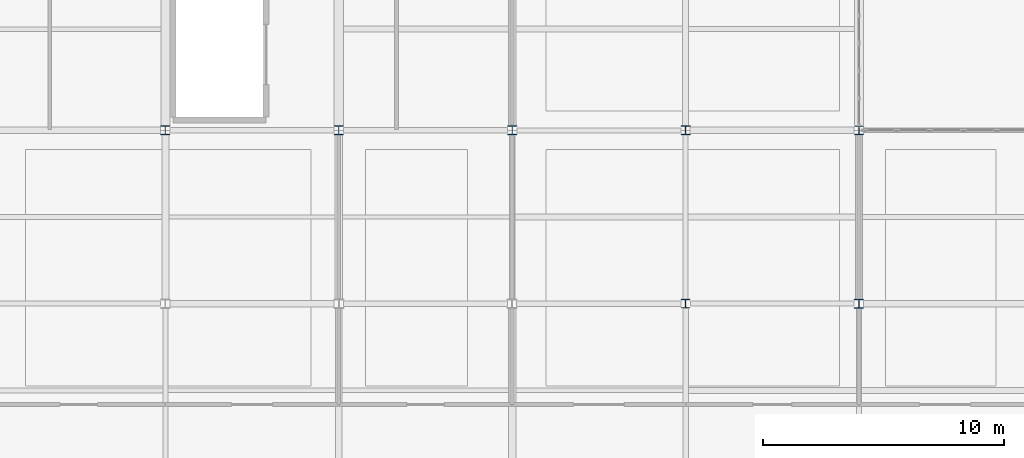
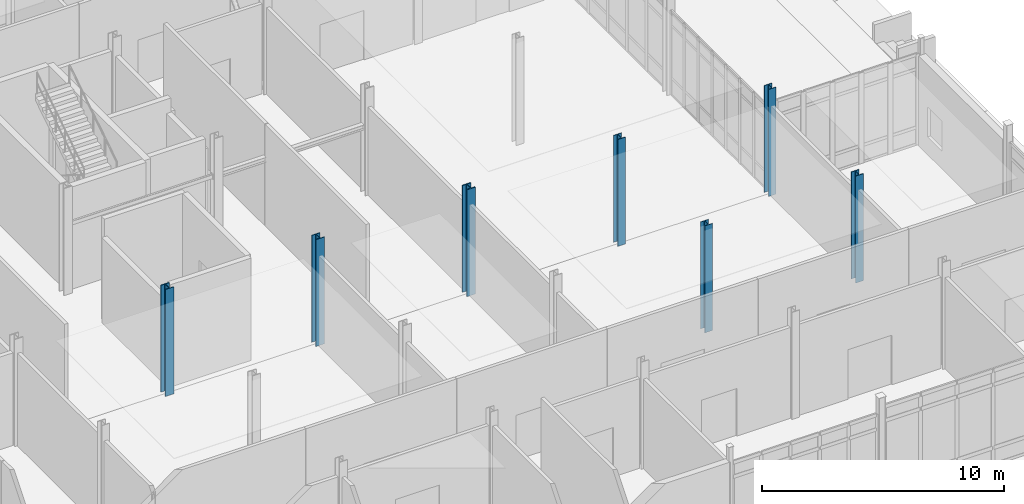
# One storey, part 19 of 229: 7 columns.
"""IFC4 building model written with IfcOpenShell, lengths in metres."""

from ifc_helpers import new_model, si_unit, direction, frame, origin, origin_2d, place, context, subcontext, project, spatial, i_section, extrude, material, material_profile, profile_set, type_object, element, save


model = new_model("IFC4")

# Units and contexts
model_context = context("Model", 3, precision=1e-05, world=origin(), true_north=direction((0.0, 1.0)))
body_context = subcontext(model_context, "Body", "Model", "MODEL_VIEW")
ifc_project = project(units=[si_unit("LENGTHUNIT", "METRE"), si_unit("AREAUNIT", "SQUARE_METRE"), si_unit("VOLUMEUNIT", "CUBIC_METRE"), si_unit("PLANEANGLEUNIT", "RADIAN"), si_unit("MASSUNIT", "GRAM", prefix="KILO")], contexts=[model_context])

# Site, building, storey
site_placement = place(None, origin())
site = spatial("IfcSite", under=ifc_project, at=site_placement, CompositionType="ELEMENT")
building_placement = place(site_placement, origin())
building = spatial("IfcBuilding", under=site, at=building_placement, Name="Calvrana Isthmian Art Gallery", CompositionType="ELEMENT")
storey_placement = place(building_placement, origin())
storey = spatial("IfcBuildingStorey", under=building, at=storey_placement, Name="L00", CompositionType="ELEMENT", Elevation=0.0)

# Columns
ifc_material = material(Name="Steel ASTM A992 Gr 50", Category="steel")
ifc_material_profile_1 = material_profile(ifc_material, i_section(OverallWidth=0.37109375, OverallDepth=0.363037109375, WebThickness=0.01318359375, FlangeThickness=0.021728515625, FilletRadius=0.02490234375, at=origin_2d()), Name="W14X109")
ifc_profile_set_1 = profile_set([ifc_material_profile_1], Name="Steel ASTM A992 Gr 50")
column_type_1 = type_object("IfcColumnType", Name="COL-STL-W14X109", PredefinedType="COLUMN", material=ifc_profile_set_1)
column_1_placement = place(storey_placement, frame((148.800048828125, 21.60009765625, 0.0), z_axis=(0.0, 0.0, 1.0), x_axis=(1.0, 0.0, 0.0)))
element("IfcColumn", 1, at=column_1_placement, inside=storey, type_object=column_type_1, Name="Column 20/D L00", PredefinedType="COLUMN", context=body_context, shape_type="SweptSolid", body=[
    extrude(i_section(OverallWidth=0.37109375, OverallDepth=0.363037109375, WebThickness=0.01318359375, FlangeThickness=0.021728515625, FilletRadius=0.02490234375, at=origin_2d()), origin(), (0.0, 0.0, 1.0), 5.39990234375),
])
ifc_material_profile_2 = material_profile(ifc_material, i_section(OverallWidth=0.373046875, OverallDepth=0.373046875, WebThickness=0.016357421875, FlangeThickness=0.026123046875, FilletRadius=0.02490234375, at=origin_2d()), Name="W14X132")
ifc_profile_set_2 = profile_set([ifc_material_profile_2], Name="Steel ASTM A992 Gr 50")
column_type_2 = type_object("IfcColumnType", Name="COL-STL-W14X132", PredefinedType="COLUMN", material=ifc_profile_set_2)
column_2_placement = place(storey_placement, frame((156.0, 14.39990234375, 0.0), z_axis=(0.0, 0.0, 1.0), x_axis=(1.0, 0.0, 0.0)))
element("IfcColumn", 2, at=column_2_placement, inside=storey, type_object=column_type_2, Name="Column 21/C L00", PredefinedType="COLUMN", context=body_context, shape_type="SweptSolid", body=[
    extrude(i_section(OverallWidth=0.373046875, OverallDepth=0.373046875, WebThickness=0.016357421875, FlangeThickness=0.026123046875, FilletRadius=0.02490234375, at=origin_2d()), origin(), (0.0, 0.0, 1.0), 5.39990234375),
])
ifc_material_profile_3 = material_profile(ifc_material, i_section(OverallWidth=0.39892578125, OverallDepth=0.385986328125, WebThickness=0.02099609375, FlangeThickness=0.033203125, FilletRadius=0.02490234375, at=origin_2d()), Name="W14X176")
ifc_profile_set_3 = profile_set([ifc_material_profile_3], Name="Steel ASTM A992 Gr 50")
column_type_3 = type_object("IfcColumnType", Name="COL-STL-W14X176", PredefinedType="COLUMN", material=ifc_profile_set_3)
column_3_placement = place(storey_placement, frame((134.39990234375, 21.60009765625, 0.0), z_axis=(0.0, 0.0, 1.0), x_axis=(1.0, 0.0, 0.0)))
element("IfcColumn", 3, at=column_3_placement, inside=storey, type_object=column_type_3, Name="Column 18/D L00", PredefinedType="COLUMN", context=body_context, shape_type="SweptSolid", body=[
    extrude(i_section(OverallWidth=0.39892578125, OverallDepth=0.385986328125, WebThickness=0.02099609375, FlangeThickness=0.033203125, FilletRadius=0.02490234375, at=origin_2d()), origin(), (0.0, 0.0, 1.0), 5.39990234375),
])
ifc_material_profile_4 = material_profile(ifc_material, i_section(OverallWidth=0.40087890625, OverallDepth=0.39892578125, WebThickness=0.02490234375, FlangeThickness=0.03955078125, FilletRadius=0.02490234375, at=origin_2d()), Name="W14X211")
ifc_profile_set_4 = profile_set([ifc_material_profile_4], Name="Steel ASTM A992 Gr 50")
column_type_4 = type_object("IfcColumnType", Name="COL-STL-W14X211", PredefinedType="COLUMN", material=ifc_profile_set_4)
column_4_placement = place(storey_placement, frame((127.199951171875, 21.60009765625, 0.0), z_axis=(0.0, 0.0, 1.0), x_axis=(1.0, 0.0, 0.0)))
element("IfcColumn", 4, at=column_4_placement, inside=storey, type_object=column_type_4, Name="Column 17/D L00", PredefinedType="COLUMN", context=body_context, shape_type="SweptSolid", body=[
    extrude(i_section(OverallWidth=0.40087890625, OverallDepth=0.39892578125, WebThickness=0.02490234375, FlangeThickness=0.03955078125, FilletRadius=0.02490234375, at=origin_2d()), origin(), (0.0, 0.0, 1.0), 5.39990234375),
])
ifc_material_profile_5 = material_profile(ifc_material, i_section(OverallWidth=0.404052734375, OverallDepth=0.406005859375, WebThickness=0.027099609375, FlangeThickness=0.043701171875, FilletRadius=0.02490234375, at=origin_2d()), Name="W14X233")
ifc_profile_set_5 = profile_set([ifc_material_profile_5], Name="Steel ASTM A992 Gr 50")
column_type_5 = type_object("IfcColumnType", Name="COL-STL-W14X233", PredefinedType="COLUMN", material=ifc_profile_set_5)
column_5_placement = place(storey_placement, frame((141.60009765625, 21.60009765625, 0.0), z_axis=(0.0, 0.0, 1.0), x_axis=(1.0, 0.0, 0.0)))
element("IfcColumn", 5, at=column_5_placement, inside=storey, type_object=column_type_5, Name="Column 19/D L00", PredefinedType="COLUMN", context=body_context, shape_type="SweptSolid", body=[
    extrude(i_section(OverallWidth=0.404052734375, OverallDepth=0.406005859375, WebThickness=0.027099609375, FlangeThickness=0.043701171875, FilletRadius=0.02490234375, at=origin_2d()), origin(), (0.0, 0.0, 1.0), 5.39990234375),
])
ifc_material_profile_6 = material_profile(ifc_material, i_section(OverallWidth=0.367919921875, OverallDepth=0.35595703125, WebThickness=0.01123046875, FlangeThickness=0.01806640625, FilletRadius=0.02490234375, at=origin_2d()), Name="W14X90")
ifc_profile_set_6 = profile_set([ifc_material_profile_6], Name="Steel ASTM A992 Gr 50")
column_type_6 = type_object("IfcColumnType", Name="COL-STL-W14X90", PredefinedType="COLUMN", material=ifc_profile_set_6)
for number, where, z_axis, x_axis, name in (
    (6, (148.800048828125, 14.39990234375, 0.0), (0.0, 0.0, 1.0), (1.0, 0.0, 0.0), "Column 20/C L00"),
    (7, (156.0, 21.60009765625, 0.0), (0.0, 0.0, 1.0), (1.0, 0.0, 0.0), "Column 21/D L00"),
):
    element("IfcColumn", number, at=place(storey_placement, frame(where, z_axis=z_axis, x_axis=x_axis)), inside=storey, type_object=column_type_6, Name=name, PredefinedType="COLUMN", context=body_context, shape_type="SweptSolid", body=[
        extrude(i_section(OverallWidth=0.367919921875, OverallDepth=0.35595703125, WebThickness=0.01123046875, FlangeThickness=0.01806640625, FilletRadius=0.02490234375, at=origin_2d()), origin(), (0.0, 0.0, 1.0), 5.39990234375),
    ])

save(model, "model.ifc")
